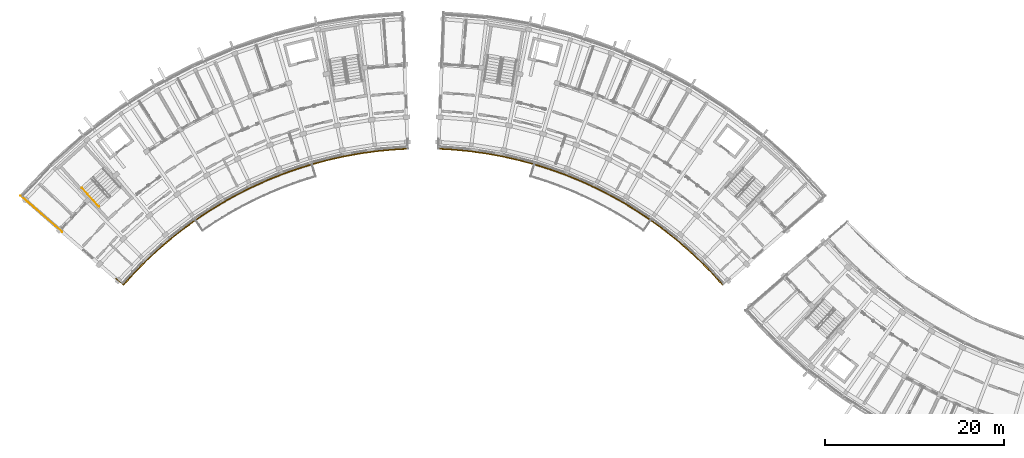
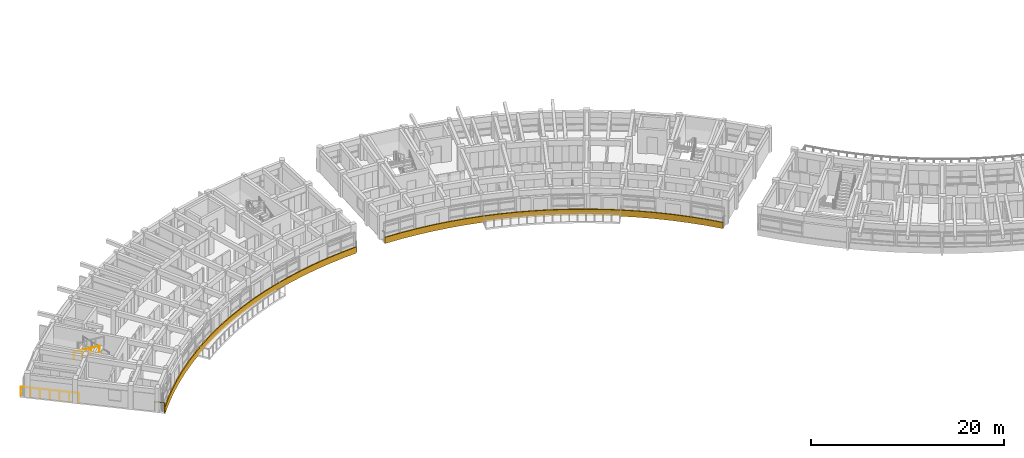
# One storey, part 41 of 54: 5 railings.
"""IFC4 building model written with IfcOpenShell, lengths in metres."""

import ifcopenshell
import ifcopenshell.guid

model = None  # the IFC model being written
_history = None  # IfcOwnerHistory: only IFC2X3 demands one
_inside = {}  # id of a spatial element -> (the spatial element, [elements in it])
_under = {}  # id of a project, library or spatial element -> (it, [spatial elements below it])
_declared = {}  # id of a project -> (the project, [libraries it declares])
_typed = {}  # id of a type object -> (the type object, [elements of that type])
_made_of = {}  # id of a material, layer set ... -> (it, [elements and type objects made of it])


def new_model(schema):
    """Start an empty IFC model of exactly this schema.

    Asked for "IFC4X3", IfcOpenShell would pick the latest addendum, in which some entities
    have other attributes; the version numbers below select the first issue.
    IFC2X3 requires an IfcOwnerHistory on every rooted entity: one is made here for all.
    """
    global model, _history
    if schema == "IFC4X3":
        model = ifcopenshell.file(schema_version=(4, 3, 0, 0))
    else:
        model = ifcopenshell.file(schema=schema)
    _inside.clear()
    _under.clear()
    _declared.clear()
    _typed.clear()
    _made_of.clear()
    _history = None
    if model.schema == "IFC2X3":
        org = make("IfcOrganization", Name="unknown")
        user = make(
            "IfcPersonAndOrganization",
            ThePerson=make("IfcPerson", FamilyName="unknown"),
            TheOrganization=org,
        )
        app = make(
            "IfcApplication",
            ApplicationDeveloper=org,
            Version="unknown",
            ApplicationFullName="unknown",
            ApplicationIdentifier="unknown",
        )
        _history = make(
            "IfcOwnerHistory",
            OwningUser=user,
            OwningApplication=app,
            ChangeAction="ADDED",
            CreationDate=0,
        )
    return model


def make(cls, **values):
    """One entity of the class cls with the attributes given. An attribute that is None is left unset."""
    return model.create_entity(
        cls, **{name: value for name, value in values.items() if value is not None}
    )


def rooted(cls, **values):
    """An entity with a GlobalId (a new one), such as an element, a storey or a relation."""
    return make(cls, GlobalId=ifcopenshell.guid.new(), OwnerHistory=_history, **values)


def si_unit(unit_type, name, prefix=None):
    """IfcSIUnit, for example si_unit("LENGTHUNIT", "METRE", prefix="MILLI")."""
    return make("IfcSIUnit", UnitType=unit_type, Prefix=prefix, Name=name)


def assignment(units):
    """IfcUnitAssignment: the units of a project."""
    return None if units is None else make("IfcUnitAssignment", Units=units)


def point(xyz):
    """IfcCartesianPoint."""
    return None if xyz is None else make("IfcCartesianPoint", Coordinates=xyz)


def direction(xyz):
    """IfcDirection."""
    return None if xyz is None else make("IfcDirection", DirectionRatios=xyz)


def frame(location, z_axis=None, x_axis=None):
    """IfcAxis2Placement3D, a coordinate frame: its origin and axes. An axis left out is left unset."""
    return make(
        "IfcAxis2Placement3D",
        Location=point(location),
        Axis=direction(z_axis),
        RefDirection=direction(x_axis),
    )


def frame_2d(location, x_axis=None):
    """IfcAxis2Placement2D, a coordinate frame in the plane: its origin and x axis."""
    return make(
        "IfcAxis2Placement2D", Location=point(location), RefDirection=direction(x_axis)
    )


def origin():
    """The frame at (0, 0, 0) with its axes left unset."""
    return frame((0.0, 0.0, 0.0))


def origin_2d():
    """The frame at (0, 0) in the plane with its x axis left unset."""
    return frame_2d((0.0, 0.0))


def place(relative_to, where):
    """IfcLocalPlacement: puts the frame where relative to a parent placement (None: the world)."""
    return make(
        "IfcLocalPlacement", PlacementRelTo=relative_to, RelativePlacement=where
    )


def context(
    kind, dimensions, precision=None, world=None, true_north=None, identifier=None
):
    """IfcGeometricRepresentationContext, for example the 3D "Model" context."""
    return make(
        "IfcGeometricRepresentationContext",
        ContextIdentifier=identifier,
        ContextType=kind,
        CoordinateSpaceDimension=dimensions,
        Precision=precision,
        WorldCoordinateSystem=world,
        TrueNorth=true_north,
    )


def subcontext(parent, identifier, kind, view, scale=None):
    """IfcGeometricRepresentationSubContext, for example "Body" below "Model"."""
    return make(
        "IfcGeometricRepresentationSubContext",
        ContextIdentifier=identifier,
        ContextType=kind,
        ParentContext=parent,
        TargetScale=scale,
        TargetView=view,
    )


def project(units=None, contexts=None):
    """IfcProject with its units and contexts."""
    return rooted(
        "IfcProject",
        Name="project",
        RepresentationContexts=contexts,
        UnitsInContext=assignment(units),
    )


def spatial(cls, under=None, at=None, **own):
    """A site, building, storey or space (cls), placed at a placement, below another one or the project."""
    s = rooted(cls, ObjectPlacement=at, **own)
    if under is not None:
        _under.setdefault(under.id(), (under, []))[1].append(s)
    return s


def polyline(points):
    """IfcPolyline through the points."""
    return make("IfcPolyline", Points=[point(p) for p in points])


def profile(cls, at=None, kind="AREA", **sizes):
    """A parametric profile (cls). Its sizes go by their IFC names, for example OverallWidth=200.0."""
    return make(cls, ProfileType=kind, Position=at, **sizes)


def circle(**sizes):
    """IfcCircleProfileDef."""
    return profile("IfcCircleProfileDef", **sizes)


def outline(outer, holes=None, kind="AREA"):
    """IfcArbitraryClosedProfileDef: a profile drawn as a closed curve; with holes, ...WithVoids."""
    if holes is None:
        return make("IfcArbitraryClosedProfileDef", ProfileType=kind, OuterCurve=outer)
    return make(
        "IfcArbitraryProfileDefWithVoids",
        ProfileType=kind,
        OuterCurve=outer,
        InnerCurves=holes,
    )


def extrude(swept, where, along, depth):
    """IfcExtrudedAreaSolid: the profile swept, set in the frame where, extruded along a direction by depth."""
    return make(
        "IfcExtrudedAreaSolid",
        SweptArea=swept,
        Position=where,
        ExtrudedDirection=direction(along),
        Depth=depth,
    )


def shape(context_of_items, identifier, shape_type, items):
    """IfcShapeRepresentation: the items that make up one representation, for example the "Body"."""
    return make(
        "IfcShapeRepresentation",
        ContextOfItems=context_of_items,
        RepresentationIdentifier=identifier,
        RepresentationType=shape_type,
        Items=items,
    )


def material(Name=None, Category=None):
    """IfcMaterial."""
    return make("IfcMaterial", Name=Name, Category=Category)


def made_of(thing, what):
    """Note that an element or type object is made of a material, layer set ...; save() writes the relation."""
    if what is not None:
        _made_of.setdefault(what.id(), (what, []))[1].append(thing)
    return thing


def type_object(cls, material=None, **own):
    """A type object (cls), such as IfcWallType, which elements share."""
    return made_of(rooted(cls, **own), material)


def element(
    cls,
    number,
    at=None,
    inside=None,
    cuts=None,
    type_object=None,
    material=None,
    context=None,
    identifier="Body",
    shape_type=None,
    held_by="IfcProductDefinitionShape",
    body=None,
    shapes=None,
    **own,
):
    """One element of the class cls, such as IfcWall. Its Tag is "e" and its number.

    at: its placement. inside: the storey or other place that contains it. cuts: it is an
    opening in that element (IfcRelVoidsElement). A single representation is given by context,
    identifier, shape_type and body (its items); several are given by shapes. held_by: the class
    of the entity that holds the representations. save() writes the other relations.
    """
    e = rooted(cls, Tag="e%d" % number, ObjectPlacement=at, **own)
    if body is not None:
        shapes = [shape(context, identifier, shape_type, body)]
    if shapes is not None:
        e.Representation = make(held_by, Representations=shapes)
    if inside is not None:
        _inside.setdefault(inside.id(), (inside, []))[1].append(e)
    if cuts is not None:
        rooted(
            "IfcRelVoidsElement", RelatingBuildingElement=cuts, RelatedOpeningElement=e
        )
    if type_object is not None:
        _typed.setdefault(type_object.id(), (type_object, []))[1].append(e)
    return made_of(e, material)


def aggregate(whole, parts):
    """IfcRelAggregates: a whole, such as a stair, and the parts it consists of."""
    return rooted("IfcRelAggregates", RelatingObject=whole, RelatedObjects=parts)


def save(model, path):
    """Write the relations noted so far, then the file.

    IfcRelAggregates (storeys below a building ...), IfcRelContainedInSpatialStructure (elements
    in a storey), IfcRelDefinesByType, IfcRelAssociatesMaterial and IfcRelDeclares: one each for
    every whole, place, type object, material and project.
    """
    for whole, parts in _under.values():
        aggregate(whole, parts)
    for where, things in _inside.values():
        rooted(
            "IfcRelContainedInSpatialStructure",
            RelatedElements=things,
            RelatingStructure=where,
        )
    for kind, things in _typed.values():
        rooted("IfcRelDefinesByType", RelatedObjects=things, RelatingType=kind)
    for what, things in _made_of.values():
        rooted("IfcRelAssociatesMaterial", RelatedObjects=things, RelatingMaterial=what)
    for by, libraries in _declared.values():
        rooted("IfcRelDeclares", RelatingContext=by, RelatedDefinitions=libraries)
    model.write(path)


model = new_model("IFC4")

# Units and contexts
model_context = context("Model", 3, precision=1e-05, world=origin(), true_north=direction((0.0, 1.0)))
body_context = subcontext(model_context, "Body", "Model", "MODEL_VIEW")
ifc_project = project(units=[si_unit("LENGTHUNIT", "METRE"), si_unit("AREAUNIT", "SQUARE_METRE"), si_unit("VOLUMEUNIT", "CUBIC_METRE"), si_unit("PLANEANGLEUNIT", "RADIAN"), si_unit("MASSUNIT", "GRAM", prefix="KILO")], contexts=[model_context])

# Site, building, storey
site_placement = place(None, origin())
site = spatial("IfcSite", under=ifc_project, at=site_placement, CompositionType="ELEMENT")
building_placement = place(site_placement, origin())
building = spatial("IfcBuilding", under=site, at=building_placement, Name="Zimvara Arc Housing Community", CompositionType="ELEMENT")
storey_placement = place(building_placement, frame((0.0, 0.0, 23.60009765625)))
storey = spatial("IfcBuildingStorey", under=building, at=storey_placement, Name="L07", CompositionType="ELEMENT", Elevation=23.60009765625)

# Railings
ifc_material_1 = material(Name="Anodised Aluminium AW-6063", Category="aluminium")
railing_type_1 = type_object("IfcRailingType", Name="RLG-BAL-1150", PredefinedType="BALUSTRADE", material=ifc_material_1)
railing_1_placement = place(storey_placement, frame((11.490966796875, 73.62890625, 0.0)))
element("IfcRailing", 1, at=railing_1_placement, inside=storey, type_object=railing_type_1, Name="rlg:blkA:L07:gable_in:g0", PredefinedType="BALUSTRADE", context=body_context, shape_type="SweptSolid", body=[
    extrude(circle(Radius=0.02392578125, at=origin_2d()), frame((0.0, 0.0, 1.1259765625), z_axis=(-0.754659042762, 0.656117161167, 0.0), x_axis=(-0.656117161167, -0.754659042762, 0.0)), (0.0, 0.0, 1.0), 1.080322265625),
    extrude(circle(Radius=0.02099609375, at=origin_2d()), origin(), (0.0, 0.0, 1.0), 1.101806640625),
    extrude(circle(Radius=0.02099609375, at=origin_2d()), frame((-0.815185546875, 0.708740234375, 0.0)), (0.0, 0.0, 1.0), 1.101806640625),
])
railing_2_placement = place(storey_placement, frame((4.668212890625, 79.559814453125, 0.0)))
element("IfcRailing", 2, at=railing_2_placement, inside=storey, type_object=railing_type_1, Name="rlg:blkA:L07:gable_out:g0", PredefinedType="BALUSTRADE", context=body_context, shape_type="SweptSolid", body=[
    extrude(circle(Radius=0.02392578125, at=origin_2d()), frame((0.0, 0.0, 1.1259765625), z_axis=(-0.754708757217, 0.656059975749, 0.0), x_axis=(-0.656059975749, -0.754708757217, 0.0)), (0.0, 0.0, 1.0), 6.159912109375),
    extrude(circle(Radius=0.02099609375, at=origin_2d()), origin(), (0.0, 0.0, 1.0), 1.101806640625),
    extrude(circle(Radius=0.02099609375, at=origin_2d()), frame((-0.77490234375, 0.673583984375, 0.0)), (0.0, 0.0, 1.0), 1.101806640625),
    extrude(circle(Radius=0.02099609375, at=origin_2d()), frame((-1.549560546875, 1.34716796875, 0.0)), (0.0, 0.0, 1.0), 1.101806640625),
    extrude(circle(Radius=0.02099609375, at=origin_2d()), frame((-2.324462890625, 2.0205078125, 0.0)), (0.0, 0.0, 1.0), 1.101806640625),
    extrude(circle(Radius=0.02099609375, at=origin_2d()), frame((-3.099365234375, 2.694091796875, 0.0)), (0.0, 0.0, 1.0), 1.101806640625),
    extrude(circle(Radius=0.02099609375, at=origin_2d()), frame((-3.8740234375, 3.36767578125, 0.0)), (0.0, 0.0, 1.0), 1.101806640625),
    extrude(circle(Radius=0.02099609375, at=origin_2d()), frame((-4.64892578125, 4.041259765625, 0.0)), (0.0, 0.0, 1.0), 1.101806640625),
])
ifc_material_2 = material(Name="Pale-Gold Anodised Aluminium AW-6063", Category="aluminium")
railing_type_2 = type_object("IfcRailingType", Name="RLG-FAS-780", PredefinedType="BALUSTRADE", material=ifc_material_2)
railing_3_placement = place(storey_placement, frame((0.0, 0.0, -0.22021484375)))
element("IfcRailing", 3, at=railing_3_placement, inside=storey, type_object=railing_type_2, Name="rlg:blkA:L07:gold_in", PredefinedType="BALUSTRADE", context=body_context, shape_type="SweptSolid", body=[
    extrude(outline(polyline([(11.55126953125, 73.576416015625), (12.766357421875, 74.91796875), (14.03515625, 76.208740234375), (15.355712890625, 77.446533203125), (16.7255859375, 78.62939453125), (18.142578125, 79.75537109375), (19.6044921875, 80.822509765625), (21.108642578125, 81.8291015625), (22.652587890625, 82.7734375), (24.234130859375, 83.654052734375), (25.849853515625, 84.46923828125), (27.497802734375, 85.2177734375), (29.1748046875, 85.8984375), (30.87841796875, 86.510009765625), (32.60546875, 87.051513671875), (34.35302734375, 87.522216796875), (36.11865234375, 87.9208984375), (37.898681640625, 88.247314453125), (39.69091796875, 88.5009765625), (41.491943359375, 88.680908203125), (43.298583984375, 88.787353515625), (43.2939453125, 88.9072265625), (41.482421875, 88.800537109375), (39.676513671875, 88.6201171875), (37.879638671875, 88.365966796875), (36.094482421875, 88.03857421875), (34.32421875, 87.638671875), (32.57177734375, 87.166748046875), (30.840087890625, 86.623779296875), (29.132080078125, 86.010498046875), (27.450439453125, 85.328125), (25.798095703125, 84.577392578125), (24.177734375, 83.760009765625), (22.59228515625, 82.877197265625), (21.0439453125, 81.93017578125), (19.53564453125, 80.9208984375), (18.06982421875, 79.850830078125), (16.64892578125, 78.721923828125), (15.275390625, 77.53564453125), (13.951416015625, 76.29443359375), (12.678955078125, 75.000244140625), (11.460693359375, 73.6552734375), (11.55126953125, 73.576416015625)])), origin(), (0.0, 0.0, 1.0), 0.780029296875),
])
railing_4_placement = place(storey_placement, frame((0.0, 0.0, -0.22021484375)))
element("IfcRailing", 4, at=railing_4_placement, inside=storey, type_object=railing_type_2, Name="rlg:blkB:L07:gold_in", PredefinedType="BALUSTRADE", context=body_context, shape_type="SweptSolid", body=[
    extrude(outline(polyline([(46.701416015625, 88.787353515625), (48.508056640625, 88.680908203125), (50.30908203125, 88.5009765625), (52.101318359375, 88.247314453125), (53.88134765625, 87.9208984375), (55.64697265625, 87.522216796875), (57.39453125, 87.051513671875), (59.12158203125, 86.510009765625), (60.8251953125, 85.8984375), (62.502197265625, 85.2177734375), (64.150146484375, 84.46923828125), (65.765869140625, 83.654052734375), (67.347412109375, 82.7734375), (68.891357421875, 81.8291015625), (70.3955078125, 80.822509765625), (71.857421875, 79.75537109375), (73.2744140625, 78.62939453125), (74.644287109375, 77.446533203125), (75.96484375, 76.208740234375), (77.233642578125, 74.91796875), (78.44873046875, 73.576416015625), (78.539306640625, 73.6552734375), (77.321044921875, 75.000244140625), (76.048583984375, 76.29443359375), (74.724609375, 77.53564453125), (73.35107421875, 78.721923828125), (71.93017578125, 79.850830078125), (70.46435546875, 80.9208984375), (68.9560546875, 81.93017578125), (67.40771484375, 82.877197265625), (65.822265625, 83.760009765625), (64.201904296875, 84.577392578125), (62.549560546875, 85.328125), (60.867919921875, 86.010498046875), (59.159912109375, 86.623779296875), (57.42822265625, 87.166748046875), (55.67578125, 87.638671875), (53.905517578125, 88.03857421875), (52.120361328125, 88.365966796875), (50.323486328125, 88.6201171875), (48.517578125, 88.800537109375), (46.7060546875, 88.9072265625), (46.701416015625, 88.787353515625)])), origin(), (0.0, 0.0, 1.0), 0.780029296875),
])
ifc_material_3 = material(Name="Anodised Aluminium AW-6063", Category="aluminium")
railing_type_3 = type_object("IfcRailingType", Name="RLG-HND-900", PredefinedType="HANDRAIL", material=ifc_material_3)
railing_5_placement = place(storey_placement, frame((6.890869140625, 84.476806640625, 1.704833984375)))
element("IfcRailing", 5, at=railing_5_placement, inside=storey, type_object=railing_type_3, Name="L07 ST-A1 stair handrail 2", PredefinedType="HANDRAIL", context=body_context, shape_type="SweptSolid", body=[
    extrude(circle(Radius=0.02392578125, at=origin_2d()), frame((0.0, 0.0, 0.8759765625), z_axis=(0.599067985855, -0.665717608404, 0.444901802856), x_axis=(0.743337374551, 0.668916697052, 0.0)), (0.0, 0.0, 1.0), 3.135498046875),
    extrude(circle(Radius=0.02099609375, at=origin_2d()), origin(), (0.0, 0.0, 1.0), 0.851806640625),
    extrude(circle(Radius=0.02099609375, at=origin_2d()), frame((0.626220703125, -0.69580078125, 0.465087890625)), (0.0, 0.0, 1.0), 0.851806640625),
    extrude(circle(Radius=0.02099609375, at=origin_2d()), frame((1.252197265625, -1.3916015625, 0.929931640625)), (0.0, 0.0, 1.0), 0.851806640625),
    extrude(circle(Radius=0.02099609375, at=origin_2d()), frame((1.87841796875, -2.08740234375, 1.39501953125)), (0.0, 0.0, 1.0), 0.851806640625),
])

save(model, "model.ifc")
